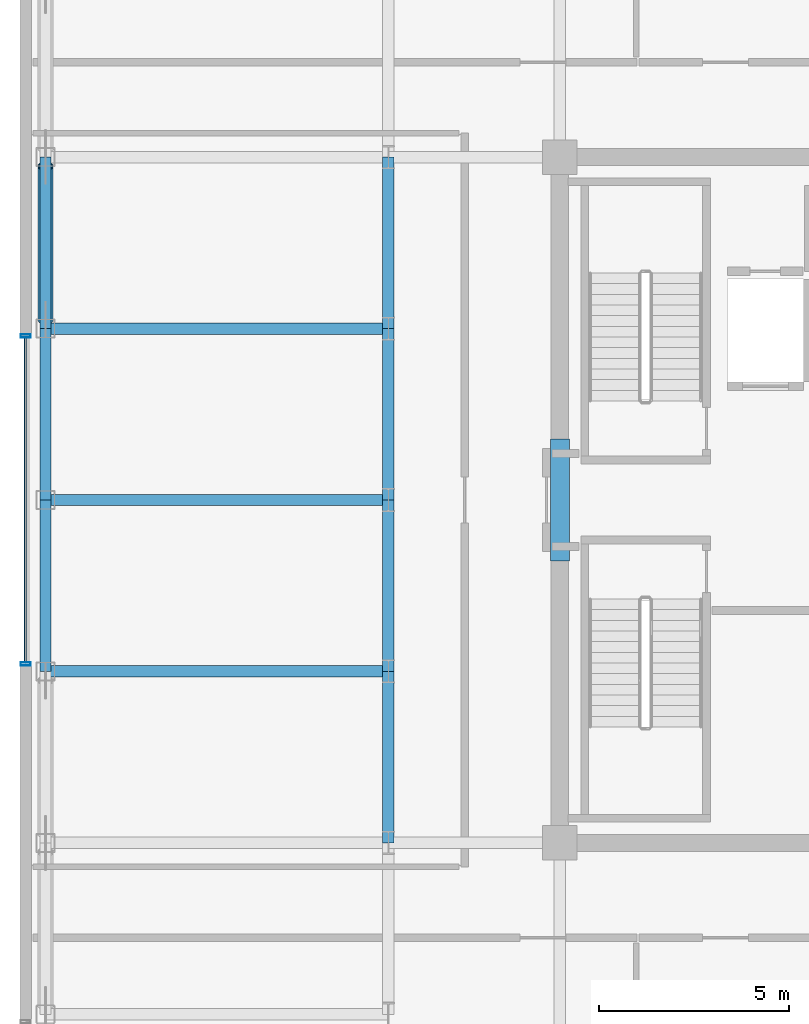
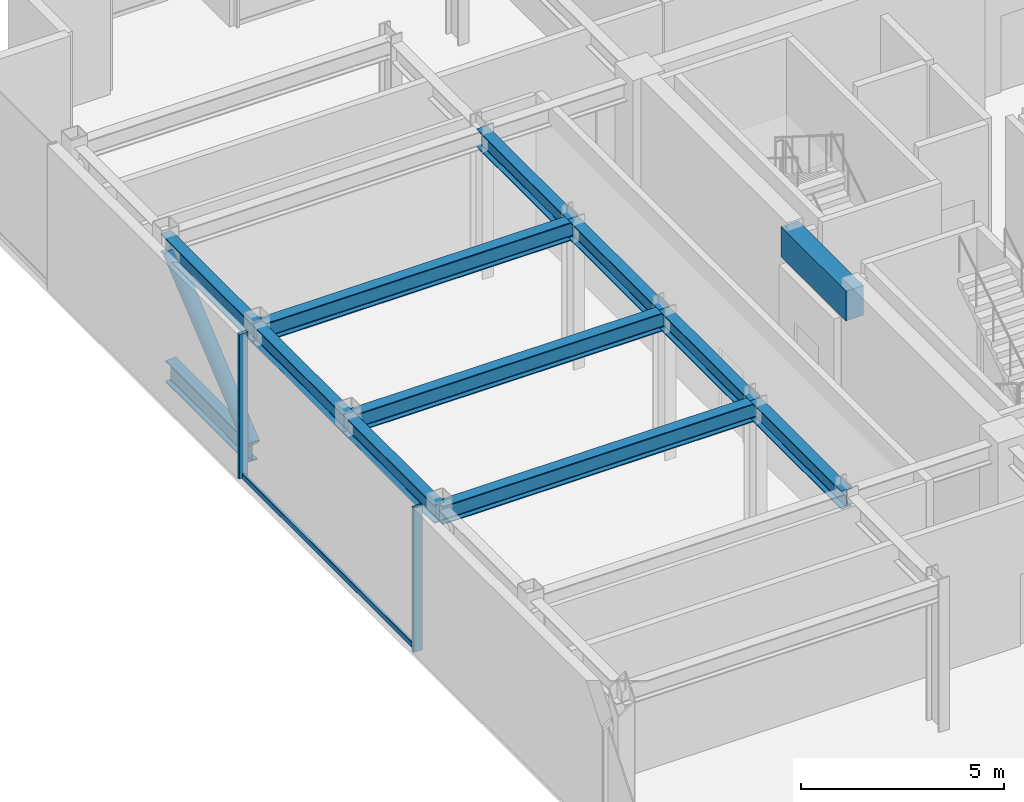
# One storey, part 6 of 18: 11 beams, 5 members, 1 element without a shape of its own.
"""IFC4 building model written with IfcOpenShell, lengths in metres."""

import ifcopenshell
import ifcopenshell.guid

model = None  # the IFC model being written
_history = None  # IfcOwnerHistory: only IFC2X3 demands one
_inside = {}  # id of a spatial element -> (the spatial element, [elements in it])
_under = {}  # id of a project, library or spatial element -> (it, [spatial elements below it])
_declared = {}  # id of a project -> (the project, [libraries it declares])
_typed = {}  # id of a type object -> (the type object, [elements of that type])
_made_of = {}  # id of a material, layer set ... -> (it, [elements and type objects made of it])


def new_model(schema):
    """Start an empty IFC model of exactly this schema.

    Asked for "IFC4X3", IfcOpenShell would pick the latest addendum, in which some entities
    have other attributes; the version numbers below select the first issue.
    IFC2X3 requires an IfcOwnerHistory on every rooted entity: one is made here for all.
    """
    global model, _history
    if schema == "IFC4X3":
        model = ifcopenshell.file(schema_version=(4, 3, 0, 0))
    else:
        model = ifcopenshell.file(schema=schema)
    _inside.clear()
    _under.clear()
    _declared.clear()
    _typed.clear()
    _made_of.clear()
    _history = None
    if model.schema == "IFC2X3":
        org = make("IfcOrganization", Name="unknown")
        user = make(
            "IfcPersonAndOrganization",
            ThePerson=make("IfcPerson", FamilyName="unknown"),
            TheOrganization=org,
        )
        app = make(
            "IfcApplication",
            ApplicationDeveloper=org,
            Version="unknown",
            ApplicationFullName="unknown",
            ApplicationIdentifier="unknown",
        )
        _history = make(
            "IfcOwnerHistory",
            OwningUser=user,
            OwningApplication=app,
            ChangeAction="ADDED",
            CreationDate=0,
        )
    return model


def make(cls, **values):
    """One entity of the class cls with the attributes given. An attribute that is None is left unset."""
    return model.create_entity(
        cls, **{name: value for name, value in values.items() if value is not None}
    )


def rooted(cls, **values):
    """An entity with a GlobalId (a new one), such as an element, a storey or a relation."""
    return make(cls, GlobalId=ifcopenshell.guid.new(), OwnerHistory=_history, **values)


def si_unit(unit_type, name, prefix=None):
    """IfcSIUnit, for example si_unit("LENGTHUNIT", "METRE", prefix="MILLI")."""
    return make("IfcSIUnit", UnitType=unit_type, Prefix=prefix, Name=name)


def assignment(units):
    """IfcUnitAssignment: the units of a project."""
    return None if units is None else make("IfcUnitAssignment", Units=units)


def point(xyz):
    """IfcCartesianPoint."""
    return None if xyz is None else make("IfcCartesianPoint", Coordinates=xyz)


def direction(xyz):
    """IfcDirection."""
    return None if xyz is None else make("IfcDirection", DirectionRatios=xyz)


def frame(location, z_axis=None, x_axis=None):
    """IfcAxis2Placement3D, a coordinate frame: its origin and axes. An axis left out is left unset."""
    return make(
        "IfcAxis2Placement3D",
        Location=point(location),
        Axis=direction(z_axis),
        RefDirection=direction(x_axis),
    )


def frame_2d(location, x_axis=None):
    """IfcAxis2Placement2D, a coordinate frame in the plane: its origin and x axis."""
    return make(
        "IfcAxis2Placement2D", Location=point(location), RefDirection=direction(x_axis)
    )


def origin():
    """The frame at (0, 0, 0) with its axes left unset."""
    return frame((0.0, 0.0, 0.0))


def origin_2d():
    """The frame at (0, 0) in the plane with its x axis left unset."""
    return frame_2d((0.0, 0.0))


def place(relative_to, where):
    """IfcLocalPlacement: puts the frame where relative to a parent placement (None: the world)."""
    return make(
        "IfcLocalPlacement", PlacementRelTo=relative_to, RelativePlacement=where
    )


def context(
    kind, dimensions, precision=None, world=None, true_north=None, identifier=None
):
    """IfcGeometricRepresentationContext, for example the 3D "Model" context."""
    return make(
        "IfcGeometricRepresentationContext",
        ContextIdentifier=identifier,
        ContextType=kind,
        CoordinateSpaceDimension=dimensions,
        Precision=precision,
        WorldCoordinateSystem=world,
        TrueNorth=true_north,
    )


def subcontext(parent, identifier, kind, view, scale=None):
    """IfcGeometricRepresentationSubContext, for example "Body" below "Model"."""
    return make(
        "IfcGeometricRepresentationSubContext",
        ContextIdentifier=identifier,
        ContextType=kind,
        ParentContext=parent,
        TargetScale=scale,
        TargetView=view,
    )


def project(units=None, contexts=None):
    """IfcProject with its units and contexts."""
    return rooted(
        "IfcProject",
        Name="project",
        RepresentationContexts=contexts,
        UnitsInContext=assignment(units),
    )


def spatial(cls, under=None, at=None, **own):
    """A site, building, storey or space (cls), placed at a placement, below another one or the project."""
    s = rooted(cls, ObjectPlacement=at, **own)
    if under is not None:
        _under.setdefault(under.id(), (under, []))[1].append(s)
    return s


def profile(cls, at=None, kind="AREA", **sizes):
    """A parametric profile (cls). Its sizes go by their IFC names, for example OverallWidth=200.0."""
    return make(cls, ProfileType=kind, Position=at, **sizes)


def rectangle(**sizes):
    """IfcRectangleProfileDef."""
    return profile("IfcRectangleProfileDef", **sizes)


def hollow_rectangle(**sizes):
    """IfcRectangleHollowProfileDef."""
    return profile("IfcRectangleHollowProfileDef", **sizes)


def hollow_circle(**sizes):
    """IfcCircleHollowProfileDef."""
    return profile("IfcCircleHollowProfileDef", **sizes)


def i_section(**sizes):
    """IfcIShapeProfileDef."""
    return profile("IfcIShapeProfileDef", **sizes)


def extrude(swept, where, along, depth):
    """IfcExtrudedAreaSolid: the profile swept, set in the frame where, extruded along a direction by depth."""
    return make(
        "IfcExtrudedAreaSolid",
        SweptArea=swept,
        Position=where,
        ExtrudedDirection=direction(along),
        Depth=depth,
    )


def shape(context_of_items, identifier, shape_type, items):
    """IfcShapeRepresentation: the items that make up one representation, for example the "Body"."""
    return make(
        "IfcShapeRepresentation",
        ContextOfItems=context_of_items,
        RepresentationIdentifier=identifier,
        RepresentationType=shape_type,
        Items=items,
    )


def source(mapping_origin, context_of_items, identifier, shape_type, items):
    """IfcRepresentationMap: a shape defined once, which mapped items show again and again."""
    return make(
        "IfcRepresentationMap",
        MappingOrigin=mapping_origin,
        MappedRepresentation=shape(context_of_items, identifier, shape_type, items),
    )


def transform(
    local_origin,
    x_axis=None,
    y_axis=None,
    z_axis=None,
    scale=None,
    scale2=None,
    scale3=None,
    uniform=True,
):
    """IfcCartesianTransformationOperator3D, or its non-uniform kind. x_axis, y_axis, z_axis: its Axis1, 2, 3."""
    if uniform:
        return make(
            "IfcCartesianTransformationOperator3D",
            Axis1=direction(x_axis),
            Axis2=direction(y_axis),
            LocalOrigin=point(local_origin),
            Scale=scale,
            Axis3=direction(z_axis),
        )
    return make(
        "IfcCartesianTransformationOperator3DnonUniform",
        Axis1=direction(x_axis),
        Axis2=direction(y_axis),
        LocalOrigin=point(local_origin),
        Scale=scale,
        Axis3=direction(z_axis),
        Scale2=scale2,
        Scale3=scale3,
    )


def mapped(mapping_source, mapping_target):
    """IfcMappedItem: shows the shape of a source again, moved by a transform."""
    return make(
        "IfcMappedItem", MappingSource=mapping_source, MappingTarget=mapping_target
    )


def material(Name=None, Category=None):
    """IfcMaterial."""
    return make("IfcMaterial", Name=Name, Category=Category)


def layer(
    of_material, thickness, ventilated=None, Name=None, Category=None, Priority=None
):
    """IfcMaterialLayer: one layer of a wall or slab, of a material (None: an air gap)."""
    return make(
        "IfcMaterialLayer",
        Material=of_material,
        LayerThickness=thickness,
        IsVentilated=ventilated,
        Name=Name,
        Category=Category,
        Priority=Priority,
    )


def layer_set(layers, Name=None):
    """IfcMaterialLayerSet."""
    return make("IfcMaterialLayerSet", MaterialLayers=layers, LayerSetName=Name)


def material_profile(
    of_material, cross_section, Name=None, Category=None, Priority=None
):
    """IfcMaterialProfile: a cross section and its material."""
    return make(
        "IfcMaterialProfile",
        Name=Name,
        Material=of_material,
        Profile=cross_section,
        Priority=Priority,
        Category=Category,
    )


def profile_set(profiles, Name=None, composite=None):
    """IfcMaterialProfileSet."""
    return make(
        "IfcMaterialProfileSet",
        Name=Name,
        MaterialProfiles=profiles,
        CompositeProfile=composite,
    )


def made_of(thing, what):
    """Note that an element or type object is made of a material, layer set ...; save() writes the relation."""
    if what is not None:
        _made_of.setdefault(what.id(), (what, []))[1].append(thing)
    return thing


def type_object(cls, material=None, **own):
    """A type object (cls), such as IfcWallType, which elements share."""
    return made_of(rooted(cls, **own), material)


def element(
    cls,
    number,
    at=None,
    inside=None,
    cuts=None,
    type_object=None,
    material=None,
    context=None,
    identifier="Body",
    shape_type=None,
    held_by="IfcProductDefinitionShape",
    body=None,
    shapes=None,
    **own,
):
    """One element of the class cls, such as IfcWall. Its Tag is "e" and its number.

    at: its placement. inside: the storey or other place that contains it. cuts: it is an
    opening in that element (IfcRelVoidsElement). A single representation is given by context,
    identifier, shape_type and body (its items); several are given by shapes. held_by: the class
    of the entity that holds the representations. save() writes the other relations.
    """
    e = rooted(cls, Tag="e%d" % number, ObjectPlacement=at, **own)
    if body is not None:
        shapes = [shape(context, identifier, shape_type, body)]
    if shapes is not None:
        e.Representation = make(held_by, Representations=shapes)
    if inside is not None:
        _inside.setdefault(inside.id(), (inside, []))[1].append(e)
    if cuts is not None:
        rooted(
            "IfcRelVoidsElement", RelatingBuildingElement=cuts, RelatedOpeningElement=e
        )
    if type_object is not None:
        _typed.setdefault(type_object.id(), (type_object, []))[1].append(e)
    return made_of(e, material)


def aggregate(whole, parts):
    """IfcRelAggregates: a whole, such as a stair, and the parts it consists of."""
    return rooted("IfcRelAggregates", RelatingObject=whole, RelatedObjects=parts)


def save(model, path):
    """Write the relations noted so far, then the file.

    IfcRelAggregates (storeys below a building ...), IfcRelContainedInSpatialStructure (elements
    in a storey), IfcRelDefinesByType, IfcRelAssociatesMaterial and IfcRelDeclares: one each for
    every whole, place, type object, material and project.
    """
    for whole, parts in _under.values():
        aggregate(whole, parts)
    for where, things in _inside.values():
        rooted(
            "IfcRelContainedInSpatialStructure",
            RelatedElements=things,
            RelatingStructure=where,
        )
    for kind, things in _typed.values():
        rooted("IfcRelDefinesByType", RelatedObjects=things, RelatingType=kind)
    for what, things in _made_of.values():
        rooted("IfcRelAssociatesMaterial", RelatedObjects=things, RelatingMaterial=what)
    for by, libraries in _declared.values():
        rooted("IfcRelDeclares", RelatingContext=by, RelatedDefinitions=libraries)
    model.write(path)


model = new_model("IFC4")

# Units and contexts
model_context = context("Model", 3, precision=1e-05, world=origin(), true_north=direction((0.0, 1.0)))
body_context = subcontext(model_context, "Body", "Model", "MODEL_VIEW")
ifc_project = project(units=[si_unit("LENGTHUNIT", "METRE"), si_unit("AREAUNIT", "SQUARE_METRE"), si_unit("VOLUMEUNIT", "CUBIC_METRE"), si_unit("PLANEANGLEUNIT", "RADIAN"), si_unit("MASSUNIT", "GRAM", prefix="KILO")], contexts=[model_context])

# Site, building, storey
site_placement = place(None, origin())
site = spatial("IfcSite", under=ifc_project, at=site_placement, CompositionType="ELEMENT")
building_placement = place(site_placement, origin())
building = spatial("IfcBuilding", under=site, at=building_placement, Name="Nefas-Gora Pilgrimage Tower", CompositionType="ELEMENT")
storey_placement = place(building_placement, frame((0.0, 0.0, 317.800048828125)))
storey = spatial("IfcBuildingStorey", under=building, at=storey_placement, Name="L80", CompositionType="ELEMENT", Elevation=317.800048828125)

# Beams
ifc_material_1 = material(Name="Concrete C50/60", Category="concrete")
ifc_material_profile_1 = material_profile(ifc_material_1, rectangle(XDim=0.5, YDim=0.89990234375, at=origin_2d()), Name="RC 500x900")
ifc_profile_set_1 = profile_set([ifc_material_profile_1], Name="Concrete C50/60")
beam_type_1 = type_object("IfcBeamType", Name="BM-LIN-RC900", PredefinedType="LINTEL", material=ifc_profile_set_1)
shared_shape_1 = source(origin(), body_context, "Body", "SweptSolid", [
    extrude(rectangle(XDim=0.5, YDim=0.89990234375, at=origin_2d()), origin(), (0.0, 0.0, 1.0), 3.2001953125),
])
beam_placement = place(storey_placement, frame((-11.25, -1.60009765625, 3.89990234375), z_axis=(0.0, 1.0, 0.0), x_axis=(-1.0, 0.0, 0.0)))
element("IfcBeam", 1, at=beam_placement, inside=storey, type_object=beam_type_1, Name="L80 Core Coupling Lintel Beam W", PredefinedType="LINTEL", context=body_context, shape_type="MappedRepresentation", body=[
    mapped(shared_shape_1, transform((0.0, 0.0, 0.0), x_axis=(1.0, 0.0, 0.0), y_axis=(0.0, 1.0, 0.0), z_axis=(0.0, 0.0, 1.0), scale=1.0)),
])
ifc_material_2 = material(Name="Steel S355", Category="steel")
ifc_material_profile_2 = material_profile(ifc_material_2, i_section(OverallWidth=0.300048828125, OverallDepth=0.550048828125, WebThickness=0.014892578125, FlangeThickness=0.029052734375, FilletRadius=0.027099609375, at=origin_2d()), Name="HEB 550")
ifc_profile_set_2 = profile_set([ifc_material_profile_2], Name="Steel S355")
beam_type_2 = type_object("IfcBeamType", Name="BM-SPN-HEB400", PredefinedType="SPANDREL", material=ifc_profile_set_2)
shared_shape_2 = source(origin(), body_context, "Body", "SweptSolid", [
    extrude(i_section(OverallWidth=0.300048828125, OverallDepth=0.550048828125, WebThickness=0.014892578125, FlangeThickness=0.029052734375, FilletRadius=0.027099609375, at=origin_2d()), origin(), (0.0, 0.0, 1.0), 4.5),
])
for number, where, z_axis, x_axis, name in (
    (2, (-24.75, -4.5, 4.074951171875), (0.0, 1.0, 0.0), (-1.0, 0.0, 0.0), "L80 SP-04 beam"),
    (3, (-24.75, 0.0, 4.074951171875), (0.0, 1.0, 0.0), (-1.0, 0.0, 0.0), "L80 SP-04 beam"),
    (4, (-24.75, 4.5, 4.074951171875), (0.0, 1.0, 0.0), (-1.0, 0.0, 0.0), "L80 SP-04 beam"),
):
    element("IfcBeam", number, at=place(storey_placement, frame(where, z_axis=z_axis, x_axis=x_axis)), inside=storey, type_object=beam_type_2, Name=name, PredefinedType="SPANDREL", context=body_context, shape_type="MappedRepresentation", body=[
        mapped(shared_shape_2, transform((0.0, 0.0, 0.0), x_axis=(1.0, 0.0, 0.0), y_axis=(0.0, 1.0, 0.0), z_axis=(0.0, 0.0, 1.0), scale=1.0)),
    ])
ifc_material_profile_3 = material_profile(ifc_material_2, i_section(OverallWidth=0.300048828125, OverallDepth=0.550048828125, WebThickness=0.014892578125, FlangeThickness=0.029052734375, FilletRadius=0.027099609375, at=origin_2d()), Name="HEB 550")
ifc_profile_set_3 = profile_set([ifc_material_profile_3], Name="Steel S355")
beam_type_3 = type_object("IfcBeamType", Name="BM-GIR-HEB550", PredefinedType="BEAM", material=ifc_profile_set_3)
shared_shape_3 = source(origin(), body_context, "Body", "SweptSolid", [
    extrude(i_section(OverallWidth=0.300048828125, OverallDepth=0.550048828125, WebThickness=0.014892578125, FlangeThickness=0.029052734375, FilletRadius=0.027099609375, at=origin_2d()), origin(), (0.0, 0.0, 1.0), 9.0),
])
for number, where, z_axis, x_axis, name in (
    (5, (-24.75, -4.5, 4.074951171875), (1.0, 0.0, 0.0), (0.0, 1.0, 0.0), "L80 G-05 beam"),
    (6, (-24.75, 0.0, 4.074951171875), (1.0, 0.0, 0.0), (0.0, 1.0, 0.0), "L80 G-05 beam"),
    (7, (-24.75, 4.5, 4.074951171875), (1.0, 0.0, 0.0), (0.0, 1.0, 0.0), "L80 G-05 beam"),
):
    element("IfcBeam", number, at=place(storey_placement, frame(where, z_axis=z_axis, x_axis=x_axis)), inside=storey, type_object=beam_type_3, Name=name, PredefinedType="BEAM", context=body_context, shape_type="MappedRepresentation", body=[
        mapped(shared_shape_3, transform((0.0, 0.0, 0.0), x_axis=(1.0, 0.0, 0.0), y_axis=(0.0, 1.0, 0.0), z_axis=(0.0, 0.0, 1.0), scale=1.0)),
    ])
shared_shape_4 = source(origin(), body_context, "Body", "SweptSolid", [
    extrude(i_section(OverallWidth=0.300048828125, OverallDepth=0.550048828125, WebThickness=0.014892578125, FlangeThickness=0.029052734375, FilletRadius=0.027099609375, at=origin_2d()), origin(), (0.0, 0.0, 1.0), 4.5),
])
for number, where, z_axis, x_axis, name in (
    (8, (-15.75, -9.0, 4.074951171875), (0.0, 1.0, 0.0), (-1.0, 0.0, 0.0), "L80 G-05 beam"),
    (9, (-15.75, -4.5, 4.074951171875), (0.0, 1.0, 0.0), (-1.0, 0.0, 0.0), "L80 G-05 beam"),
    (10, (-15.75, 0.0, 4.074951171875), (0.0, 1.0, 0.0), (-1.0, 0.0, 0.0), "L80 G-05 beam"),
    (11, (-15.75, 4.5, 4.074951171875), (0.0, 1.0, 0.0), (-1.0, 0.0, 0.0), "L80 G-05 beam"),
):
    element("IfcBeam", number, at=place(storey_placement, frame(where, z_axis=z_axis, x_axis=x_axis)), inside=storey, type_object=beam_type_3, Name=name, PredefinedType="BEAM", context=body_context, shape_type="MappedRepresentation", body=[
        mapped(shared_shape_4, transform((0.0, 0.0, 0.0), x_axis=(1.0, 0.0, 0.0), y_axis=(0.0, 1.0, 0.0), z_axis=(0.0, 0.0, 1.0), scale=1.0)),
    ])

# Members
ifc_material_3 = material(Name="Steel S460", Category="steel")
ifc_material_profile_4 = material_profile(ifc_material_3, hollow_circle(Radius=0.203125, WallThickness=0.02490234375, at=origin_2d()), Name="CHS 406.4x25")
ifc_profile_set_4 = profile_set([ifc_material_profile_4], Name="Steel S460")
member_type_1 = type_object("IfcMemberType", Name="MEM-BELT-406", PredefinedType="BRACE", material=ifc_profile_set_4)
shared_shape_5 = source(origin(), body_context, "Body", "SweptSolid", [
    extrude(hollow_circle(Radius=0.203125, WallThickness=0.02490234375, at=origin_2d()), origin(), (0.0, 0.0, 1.0), 5.238037109375),
])
member_1_placement = place(storey_placement, frame((-24.75, 4.738037109375, 0.54833984375), z_axis=(0.0, 0.768221279597, 0.640184399664), x_axis=(-1.0, 0.0, 0.0)))
element("IfcMember", 12, at=member_1_placement, inside=storey, type_object=member_type_1, Name="L80 Perimeter Belt-Truss Diagonal 3", PredefinedType="BRACE", context=body_context, shape_type="MappedRepresentation", body=[
    mapped(shared_shape_5, transform((0.0, 0.0, 0.0), x_axis=(1.0, 0.0, 0.0), y_axis=(0.0, 1.0, 0.0), z_axis=(0.0, 0.0, 1.0), scale=1.0)),
])
ifc_material_profile_5 = material_profile(ifc_material_3, i_section(OverallWidth=0.300048828125, OverallDepth=0.64990234375, WebThickness=0.01611328125, FlangeThickness=0.031005859375, FilletRadius=0.027099609375, at=origin_2d()), Name="HEB 650")
ifc_profile_set_5 = profile_set([ifc_material_profile_5], Name="Steel S460")
member_type_2 = type_object("IfcMemberType", Name="MEM-BELT-CHORD", PredefinedType="CHORD", material=ifc_profile_set_5)
shared_shape_6 = source(origin(), body_context, "Body", "SweptSolid", [
    extrude(i_section(OverallWidth=0.300048828125, OverallDepth=0.64990234375, WebThickness=0.01611328125, FlangeThickness=0.031005859375, FilletRadius=0.027099609375, at=origin_2d()), origin(), (0.0, 0.0, 1.0), 4.02392578125),
])
member_2_placement = place(storey_placement, frame((-24.75, 4.738037109375, 0.349853515625), z_axis=(0.0, 1.0, 0.0), x_axis=(-1.0, 0.0, 0.0)))
element("IfcMember", 13, at=member_2_placement, inside=storey, type_object=member_type_2, Name="L80 Perimeter Belt-Truss Bottom Chord 3", PredefinedType="CHORD", context=body_context, shape_type="MappedRepresentation", body=[
    mapped(shared_shape_6, transform((0.0, 0.0, 0.0), x_axis=(1.0, 0.0, 0.0), y_axis=(0.0, 1.0, 0.0), z_axis=(0.0, 0.0, 1.0), scale=1.0)),
])

# Curtain wall, members
ifc_material_4 = material(Name="Dark ceramic-fritted solar-control aluminium-glass curtain wall", Category="aluminium")
ifc_layer = layer(ifc_material_4, 0.219970703125)
ifc_layer_set = layer_set([ifc_layer], Name="Dark ceramic-fritted solar-control aluminium-glass curtain wall")
curtain_wall_type = type_object("IfcCurtainWallType", Name="CW-SYS-4", PredefinedType="NOTDEFINED", material=ifc_layer_set)
curtain_wall_placement = place(storey_placement, origin())
curtain_wall = element("IfcCurtainWall", 14, at=curtain_wall_placement, inside=storey, type_object=curtain_wall_type, Name="L80 Unitised Curtain Wall CW4", PredefinedType="NOTDEFINED")
ifc_material_5 = material(Name="Anodised architectural aluminium", Category="aluminium")
ifc_material_profile_6 = material_profile(ifc_material_5, hollow_rectangle(XDim=0.080078125, YDim=0.159912109375, WallThickness=0.00439453125, InnerFilletRadius=0.00439453125, OuterFilletRadius=0.009033203125, at=origin_2d()), Name="ALU TRANSOM 80x160")
ifc_profile_set_6 = profile_set([ifc_material_profile_6], Name="Anodised architectural aluminium")
member_type_3 = type_object("IfcMemberType", Name="CWM-TRN-4", PredefinedType="USERDEFINED", material=ifc_profile_set_6)
shared_shape_7 = source(origin(), body_context, "Body", "SweptSolid", [
    extrude(hollow_rectangle(XDim=0.080078125, YDim=0.159912109375, WallThickness=0.00439453125, InnerFilletRadius=0.00439453125, OuterFilletRadius=0.009033203125, at=origin_2d()), origin(), (0.0, 0.0, 1.0), 8.52001953125),
])
member_3_placement = place(storey_placement, frame((-25.27001953125, 4.260009765625, 0.050048828125), z_axis=(0.0, -1.0, 0.0), x_axis=(1.0, 0.0, 0.0)))
member_3 = element("IfcMember", 15, at=member_3_placement, type_object=member_type_3, Name="CW4 Spandrel Transom", ObjectType="TRANSOM", PredefinedType="USERDEFINED", context=body_context, shape_type="MappedRepresentation", body=[
    mapped(shared_shape_7, transform((0.0, 0.0, 0.0), x_axis=(1.0, 0.0, 0.0), y_axis=(0.0, 1.0, 0.0), z_axis=(0.0, 0.0, 1.0), scale=1.0)),
])
ifc_material_profile_7 = material_profile(ifc_material_5, hollow_rectangle(XDim=0.090087890625, YDim=0.260009765625, WallThickness=0.006103515625, InnerFilletRadius=0.006103515625, OuterFilletRadius=0.011962890625, at=origin_2d()), Name="ALU MULLION 90x260")
ifc_profile_set_7 = profile_set([ifc_material_profile_7], Name="Anodised architectural aluminium")
member_type_4 = type_object("IfcMemberType", Name="CWM-MUL-4", PredefinedType="MULLION", material=ifc_profile_set_7)
shared_shape_8 = source(origin(), body_context, "Body", "SweptSolid", [
    extrude(hollow_rectangle(XDim=0.090087890625, YDim=0.260009765625, WallThickness=0.006103515625, InnerFilletRadius=0.006103515625, OuterFilletRadius=0.011962890625, at=origin_2d()), origin(), (0.0, 0.0, 1.0), 4.349853515625),
])
member_4_placement = place(storey_placement, frame((-25.27001953125, 4.304931640625, 0.0), z_axis=(0.0, 0.0, 1.0), x_axis=(0.0, -1.0, 0.0)))
member_4 = element("IfcMember", 16, at=member_4_placement, type_object=member_type_4, Name="CW4 Mullion 1", PredefinedType="MULLION", context=body_context, shape_type="MappedRepresentation", body=[
    mapped(shared_shape_8, transform((0.0, 0.0, 0.0), x_axis=(1.0, 0.0, 0.0), y_axis=(0.0, 1.0, 0.0), z_axis=(0.0, 0.0, 1.0), scale=1.0)),
])
member_5_placement = place(storey_placement, frame((-25.27001953125, -4.304931640625, 0.0), z_axis=(0.0, 0.0, 1.0), x_axis=(0.0, -1.0, 0.0)))
member_5 = element("IfcMember", 17, at=member_5_placement, type_object=member_type_4, Name="CW4 Mullion 2", PredefinedType="MULLION", context=body_context, shape_type="MappedRepresentation", body=[
    mapped(shared_shape_8, transform((0.0, 0.0, 0.0), x_axis=(1.0, 0.0, 0.0), y_axis=(0.0, 1.0, 0.0), z_axis=(0.0, 0.0, 1.0), scale=1.0)),
])
aggregate(curtain_wall, [member_4, member_5, member_3])

save(model, "model.ifc")
